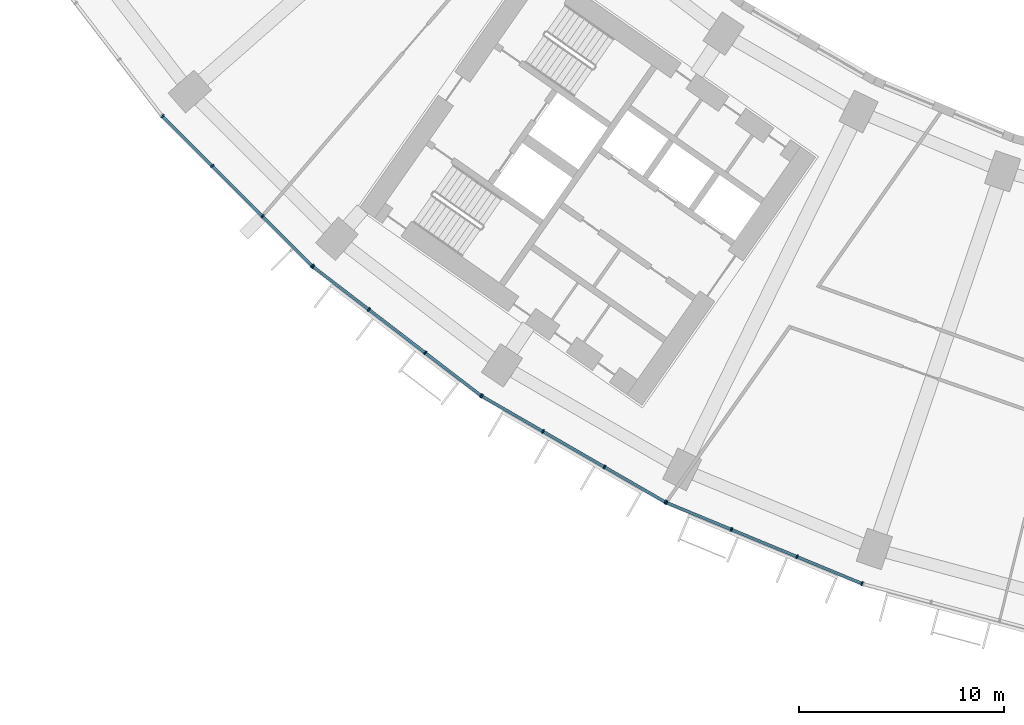
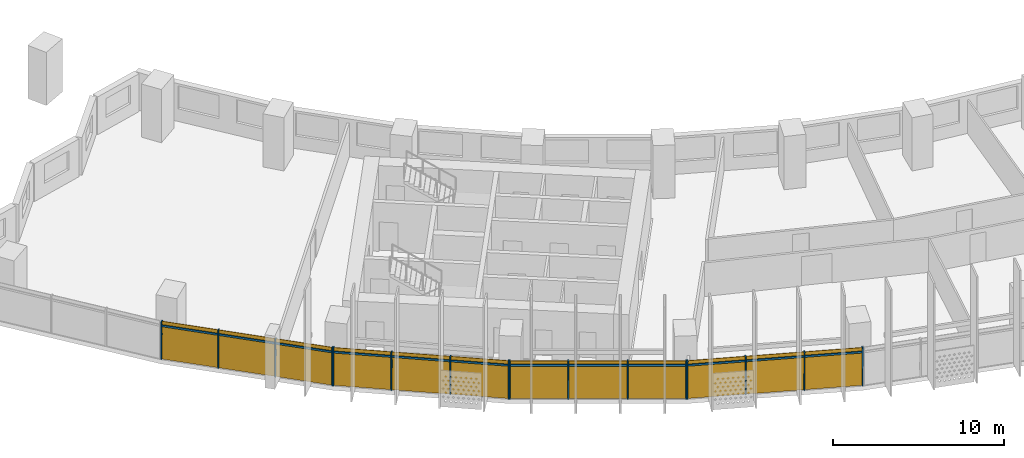
# One storey, part 20 of 32: 28 members, 4 curtain walls.
"""IFC4 building model written with IfcOpenShell, lengths in metres."""

from ifc_helpers import new_model, si_unit, direction, frame, origin, origin_2d, place, context, subcontext, project, spatial, rectangle, extrude, material, material_profile, profile_set, type_object, element, aggregate, save


model = new_model("IFC4")

# Units and contexts
model_context = context("Model", 3, precision=1e-05, world=origin(), true_north=direction((0.0, 1.0)))
body_context = subcontext(model_context, "Body", "Model", "MODEL_VIEW")
ifc_project = project(units=[si_unit("LENGTHUNIT", "METRE"), si_unit("AREAUNIT", "SQUARE_METRE"), si_unit("VOLUMEUNIT", "CUBIC_METRE"), si_unit("PLANEANGLEUNIT", "RADIAN"), si_unit("MASSUNIT", "GRAM", prefix="KILO")], contexts=[model_context])

# Member
ifc_material = material(Name="Aluminium 6063-T6 anodised", Category="aluminium")
ifc_material_profile_1 = material_profile(ifc_material, rectangle(XDim=0.199951171875, YDim=0.070068359375, at=origin_2d()))
ifc_profile_set_1 = profile_set([ifc_material_profile_1], Name="Aluminium 6063-T6 anodised")
member_type_1 = type_object("IfcMemberType", Name="Mullion 70 x 200 aluminium", PredefinedType="MULLION", material=ifc_profile_set_1)
site_placement = place(None, origin())
building_placement = place(site_placement, origin())
storey_placement = place(building_placement, frame((0.0, 0.0, 70.89990234375)))
member_1_placement = place(storey_placement, frame((-59.78857421875, -52.470947265625, 0.0), z_axis=(0.0, 0.0, 1.0), x_axis=(0.707106781187, 0.707106781187, 0.0)))
member_1 = element("IfcMember", 1, at=member_1_placement, type_object=member_type_1, Name="e-cw1-L14-out02/M00", PredefinedType="MULLION", context=body_context, shape_type="SweptSolid", body=[
    extrude(rectangle(XDim=0.199951171875, YDim=0.070068359375, at=origin_2d()), origin(), (0.0, 0.0, 1.0), 2.7001953125),
])

member_2_placement = place(storey_placement, frame((-57.357666015625, -54.90185546875, 0.0), z_axis=(0.0, 0.0, 1.0), x_axis=(0.707106781187, 0.707106781187, 0.0)))
member_2 = element("IfcMember", 2, at=member_2_placement, type_object=member_type_1, Name="e-cw1-L14-out02/M01", PredefinedType="MULLION", context=body_context, shape_type="SweptSolid", body=[
    extrude(rectangle(XDim=0.199951171875, YDim=0.070068359375, at=origin_2d()), origin(), (0.0, 0.0, 1.0), 2.7001953125),
])

member_3_placement = place(storey_placement, frame((-54.90185546875, -57.357666015625, 0.0), z_axis=(0.0, 0.0, 1.0), x_axis=(0.707106781187, 0.707106781187, 0.0)))
member_3 = element("IfcMember", 3, at=member_3_placement, type_object=member_type_1, Name="e-cw1-L14-out02/M02", PredefinedType="MULLION", context=body_context, shape_type="SweptSolid", body=[
    extrude(rectangle(XDim=0.199951171875, YDim=0.070068359375, at=origin_2d()), origin(), (0.0, 0.0, 1.0), 2.7001953125),
])

member_4_placement = place(storey_placement, frame((-52.470947265625, -59.78857421875, 0.0), z_axis=(0.0, 0.0, 1.0), x_axis=(0.707106781187, 0.707106781187, 0.0)))
member_4 = element("IfcMember", 4, at=member_4_placement, type_object=member_type_1, Name="e-cw1-L14-out02/M03", PredefinedType="MULLION", context=body_context, shape_type="SweptSolid", body=[
    extrude(rectangle(XDim=0.199951171875, YDim=0.070068359375, at=origin_2d()), origin(), (0.0, 0.0, 1.0), 2.7001953125),
])

member_5_placement = place(storey_placement, frame((-52.42822265625, -59.825927734375, 0.0), z_axis=(0.0, 0.0, 1.0), x_axis=(0.608761429009, 0.793353340291, 0.0)))
member_5 = element("IfcMember", 5, at=member_5_placement, type_object=member_type_1, Name="e-cw1-L14-out03/M00", PredefinedType="MULLION", context=body_context, shape_type="SweptSolid", body=[
    extrude(rectangle(XDim=0.199951171875, YDim=0.070068359375, at=origin_2d()), origin(), (0.0, 0.0, 1.0), 2.7001953125),
])

member_6_placement = place(storey_placement, frame((-49.70068359375, -61.9189453125, 0.0), z_axis=(0.0, 0.0, 1.0), x_axis=(0.608761429009, 0.793353340291, 0.0)))
member_6 = element("IfcMember", 6, at=member_6_placement, type_object=member_type_1, Name="e-cw1-L14-out03/M01", PredefinedType="MULLION", context=body_context, shape_type="SweptSolid", body=[
    extrude(rectangle(XDim=0.199951171875, YDim=0.070068359375, at=origin_2d()), origin(), (0.0, 0.0, 1.0), 2.7001953125),
])

member_7_placement = place(storey_placement, frame((-46.945556640625, -64.032958984375, 0.0), z_axis=(0.0, 0.0, 1.0), x_axis=(0.608761429009, 0.793353340291, 0.0)))
member_7 = element("IfcMember", 7, at=member_7_placement, type_object=member_type_1, Name="e-cw1-L14-out03/M02", PredefinedType="MULLION", context=body_context, shape_type="SweptSolid", body=[
    extrude(rectangle(XDim=0.199951171875, YDim=0.070068359375, at=origin_2d()), origin(), (0.0, 0.0, 1.0), 2.7001953125),
])

member_8_placement = place(storey_placement, frame((-44.218017578125, -66.1259765625, 0.0), z_axis=(0.0, 0.0, 1.0), x_axis=(0.608761429009, 0.793353340291, 0.0)))
member_8 = element("IfcMember", 8, at=member_8_placement, type_object=member_type_1, Name="e-cw1-L14-out03/M03", PredefinedType="MULLION", context=body_context, shape_type="SweptSolid", body=[
    extrude(rectangle(XDim=0.199951171875, YDim=0.070068359375, at=origin_2d()), origin(), (0.0, 0.0, 1.0), 2.7001953125),
])

member_9_placement = place(storey_placement, frame((-44.1708984375, -66.157470703125, 0.0), z_axis=(0.0, 0.0, 1.0), x_axis=(0.5, 0.866025403784, 0.0)))
member_9 = element("IfcMember", 9, at=member_9_placement, type_object=member_type_1, Name="e-cw1-L14-out04/M00", PredefinedType="MULLION", context=body_context, shape_type="SweptSolid", body=[
    extrude(rectangle(XDim=0.199951171875, YDim=0.070068359375, at=origin_2d()), origin(), (0.0, 0.0, 1.0), 2.7001953125),
])

member_10_placement = place(storey_placement, frame((-41.193603515625, -67.87646484375, 0.0), z_axis=(0.0, 0.0, 1.0), x_axis=(0.5, 0.866025403784, 0.0)))
member_10 = element("IfcMember", 10, at=member_10_placement, type_object=member_type_1, Name="e-cw1-L14-out04/M01", PredefinedType="MULLION", context=body_context, shape_type="SweptSolid", body=[
    extrude(rectangle(XDim=0.199951171875, YDim=0.070068359375, at=origin_2d()), origin(), (0.0, 0.0, 1.0), 2.7001953125),
])

member_11_placement = place(storey_placement, frame((-38.18603515625, -69.61279296875, 0.0), z_axis=(0.0, 0.0, 1.0), x_axis=(0.5, 0.866025403784, 0.0)))
member_11 = element("IfcMember", 11, at=member_11_placement, type_object=member_type_1, Name="e-cw1-L14-out04/M02", PredefinedType="MULLION", context=body_context, shape_type="SweptSolid", body=[
    extrude(rectangle(XDim=0.199951171875, YDim=0.070068359375, at=origin_2d()), origin(), (0.0, 0.0, 1.0), 2.7001953125),
])

member_12_placement = place(storey_placement, frame((-35.20849609375, -71.331787109375, 0.0), z_axis=(0.0, 0.0, 1.0), x_axis=(0.5, 0.866025403784, 0.0)))
member_12 = element("IfcMember", 12, at=member_12_placement, type_object=member_type_1, Name="e-cw1-L14-out04/M03", PredefinedType="MULLION", context=body_context, shape_type="SweptSolid", body=[
    extrude(rectangle(XDim=0.199951171875, YDim=0.070068359375, at=origin_2d()), origin(), (0.0, 0.0, 1.0), 2.7001953125),
])

member_13_placement = place(storey_placement, frame((-35.15771484375, -71.35693359375, 0.0), z_axis=(0.0, 0.0, 1.0), x_axis=(0.382683432365, 0.923879532511, 0.0)))
member_13 = element("IfcMember", 13, at=member_13_placement, type_object=member_type_1, Name="e-cw1-L14-out05/M00", PredefinedType="MULLION", context=body_context, shape_type="SweptSolid", body=[
    extrude(rectangle(XDim=0.199951171875, YDim=0.070068359375, at=origin_2d()), origin(), (0.0, 0.0, 1.0), 2.7001953125),
])

member_14_placement = place(storey_placement, frame((-31.9814453125, -72.672607421875, 0.0), z_axis=(0.0, 0.0, 1.0), x_axis=(0.382683432365, 0.923879532511, 0.0)))
member_14 = element("IfcMember", 14, at=member_14_placement, type_object=member_type_1, Name="e-cw1-L14-out05/M01", PredefinedType="MULLION", context=body_context, shape_type="SweptSolid", body=[
    extrude(rectangle(XDim=0.199951171875, YDim=0.070068359375, at=origin_2d()), origin(), (0.0, 0.0, 1.0), 2.7001953125),
])

member_15_placement = place(storey_placement, frame((-28.77294921875, -74.00146484375, 0.0), z_axis=(0.0, 0.0, 1.0), x_axis=(0.382683432365, 0.923879532511, 0.0)))
member_15 = element("IfcMember", 15, at=member_15_placement, type_object=member_type_1, Name="e-cw1-L14-out05/M02", PredefinedType="MULLION", context=body_context, shape_type="SweptSolid", body=[
    extrude(rectangle(XDim=0.199951171875, YDim=0.070068359375, at=origin_2d()), origin(), (0.0, 0.0, 1.0), 2.7001953125),
])

member_16_placement = place(storey_placement, frame((-25.5966796875, -75.317138671875, 0.0), z_axis=(0.0, 0.0, 1.0), x_axis=(0.382683432365, 0.923879532511, 0.0)))
member_16 = element("IfcMember", 16, at=member_16_placement, type_object=member_type_1, Name="e-cw1-L14-out05/M03", PredefinedType="MULLION", context=body_context, shape_type="SweptSolid", body=[
    extrude(rectangle(XDim=0.199951171875, YDim=0.070068359375, at=origin_2d()), origin(), (0.0, 0.0, 1.0), 2.7001953125),
])

ifc_material_profile_2 = material_profile(ifc_material, rectangle(XDim=0.139892578125, YDim=0.1201171875, at=origin_2d()))
ifc_profile_set_2 = profile_set([ifc_material_profile_2], Name="Aluminium 6063-T6 anodised")
member_type_2 = type_object("IfcMemberType", Name="Transom 120 x 140 aluminium", PredefinedType="USERDEFINED", material=ifc_profile_set_2)
member_17_placement = place(storey_placement, frame((-59.763916015625, -52.49560546875, 2.400146484375), z_axis=(0.707106781187, -0.707106781187, 0.0), x_axis=(0.707106781187, 0.707106781187, 0.0)))
member_17 = element("IfcMember", 17, at=member_17_placement, type_object=member_type_2, Name="e-cw1-L14-out02/T00", ObjectType="TRANSOM", PredefinedType="USERDEFINED", context=body_context, shape_type="SweptSolid", body=[
    extrude(rectangle(XDim=0.139892578125, YDim=0.1201171875, at=origin_2d()), origin(), (0.0, 0.0, 1.0), 3.3681640625),
])

member_18_placement = place(storey_placement, frame((-57.332763671875, -54.9267578125, 2.400146484375), z_axis=(0.707106781187, -0.707106781187, 0.0), x_axis=(0.707106781187, 0.707106781187, 0.0)))
member_18 = element("IfcMember", 18, at=member_18_placement, type_object=member_type_2, Name="e-cw1-L14-out02/T01", ObjectType="TRANSOM", PredefinedType="USERDEFINED", context=body_context, shape_type="SweptSolid", body=[
    extrude(rectangle(XDim=0.139892578125, YDim=0.1201171875, at=origin_2d()), origin(), (0.0, 0.0, 1.0), 3.402587890625),
])

member_19_placement = place(storey_placement, frame((-54.877197265625, -57.38232421875, 2.400146484375), z_axis=(0.707106781187, -0.707106781187, 0.0), x_axis=(0.707106781187, 0.707106781187, 0.0)))
member_19 = element("IfcMember", 19, at=member_19_placement, type_object=member_type_2, Name="e-cw1-L14-out02/T02", ObjectType="TRANSOM", PredefinedType="USERDEFINED", context=body_context, shape_type="SweptSolid", body=[
    extrude(rectangle(XDim=0.139892578125, YDim=0.1201171875, at=origin_2d()), origin(), (0.0, 0.0, 1.0), 3.3681640625),
])

member_20_placement = place(storey_placement, frame((-52.400390625, -59.847412109375, 2.400146484375), z_axis=(0.793375276742, -0.608732839803, 0.0), x_axis=(0.608732839803, 0.793375276742, 0.0)))
member_20 = element("IfcMember", 20, at=member_20_placement, type_object=member_type_2, Name="e-cw1-L14-out03/T00", ObjectType="TRANSOM", PredefinedType="USERDEFINED", context=body_context, shape_type="SweptSolid", body=[
    extrude(rectangle(XDim=0.139892578125, YDim=0.1201171875, at=origin_2d()), origin(), (0.0, 0.0, 1.0), 3.36767578125),
])

member_21_placement = place(storey_placement, frame((-49.673095703125, -61.940185546875, 2.400146484375), z_axis=(0.793356868815, -0.60875683052, 0.0), x_axis=(0.60875683052, 0.793356868815, 0.0)))
member_21 = element("IfcMember", 21, at=member_21_placement, type_object=member_type_2, Name="e-cw1-L14-out03/T01", ObjectType="TRANSOM", PredefinedType="USERDEFINED", context=body_context, shape_type="SweptSolid", body=[
    extrude(rectangle(XDim=0.139892578125, YDim=0.1201171875, at=origin_2d()), origin(), (0.0, 0.0, 1.0), 3.40283203125),
])

member_22_placement = place(storey_placement, frame((-46.917724609375, -64.054443359375, 2.400146484375), z_axis=(0.793375276742, -0.608732839803, 0.0), x_axis=(0.608732839803, 0.793375276742, 0.0)))
member_22 = element("IfcMember", 22, at=member_22_placement, type_object=member_type_2, Name="e-cw1-L14-out03/T02", ObjectType="TRANSOM", PredefinedType="USERDEFINED", context=body_context, shape_type="SweptSolid", body=[
    extrude(rectangle(XDim=0.139892578125, YDim=0.1201171875, at=origin_2d()), origin(), (0.0, 0.0, 1.0), 3.36767578125),
])

member_23_placement = place(storey_placement, frame((-44.140625, -66.175048828125, 2.400146484375), z_axis=(0.866044351828, -0.49996717959, 0.0), x_axis=(0.49996717959, 0.866044351828, 0.0)))
member_23 = element("IfcMember", 23, at=member_23_placement, type_object=member_type_2, Name="e-cw1-L14-out04/T00", ObjectType="TRANSOM", PredefinedType="USERDEFINED", context=body_context, shape_type="SweptSolid", body=[
    extrude(rectangle(XDim=0.139892578125, YDim=0.1201171875, at=origin_2d()), origin(), (0.0, 0.0, 1.0), 3.367919921875),
])

member_24_placement = place(storey_placement, frame((-41.163330078125, -67.893798828125, 2.400146484375), z_axis=(0.866000398227, -0.500043308395, 0.0), x_axis=(0.500043308395, 0.866000398227, 0.0)))
member_24 = element("IfcMember", 24, at=member_24_placement, type_object=member_type_2, Name="e-cw1-L14-out04/T01", ObjectType="TRANSOM", PredefinedType="USERDEFINED", context=body_context, shape_type="SweptSolid", body=[
    extrude(rectangle(XDim=0.139892578125, YDim=0.1201171875, at=origin_2d()), origin(), (0.0, 0.0, 1.0), 3.403076171875),
])

member_25_placement = place(storey_placement, frame((-38.155517578125, -69.63037109375, 2.400146484375), z_axis=(0.866026229868, -0.499998569178, 0.0), x_axis=(0.499998569178, 0.866026229868, 0.0)))
member_25 = element("IfcMember", 25, at=member_25_placement, type_object=member_type_2, Name="e-cw1-L14-out04/T02", ObjectType="TRANSOM", PredefinedType="USERDEFINED", context=body_context, shape_type="SweptSolid", body=[
    extrude(rectangle(XDim=0.139892578125, YDim=0.1201171875, at=origin_2d()), origin(), (0.0, 0.0, 1.0), 3.36767578125),
])

member_26_placement = place(storey_placement, frame((-35.125244140625, -71.370361328125, 2.400146484375), z_axis=(0.923872807855, -0.382699666719, 0.0), x_axis=(0.382699666719, 0.923872807855, 0.0)))
member_26 = element("IfcMember", 26, at=member_26_placement, type_object=member_type_2, Name="e-cw1-L14-out05/T00", ObjectType="TRANSOM", PredefinedType="USERDEFINED", context=body_context, shape_type="SweptSolid", body=[
    extrude(rectangle(XDim=0.139892578125, YDim=0.1201171875, at=origin_2d()), origin(), (0.0, 0.0, 1.0), 3.36767578125),
])

member_27_placement = place(storey_placement, frame((-31.94921875, -72.68603515625, 2.400146484375), z_axis=(0.92388567708, -0.382668597728, 0.0), x_axis=(0.382668597728, 0.92388567708, 0.0)))
member_27 = element("IfcMember", 27, at=member_27_placement, type_object=member_type_2, Name="e-cw1-L14-out05/T01", ObjectType="TRANSOM", PredefinedType="USERDEFINED", context=body_context, shape_type="SweptSolid", body=[
    extrude(rectangle(XDim=0.139892578125, YDim=0.1201171875, at=origin_2d()), origin(), (0.0, 0.0, 1.0), 3.403076171875),
])

member_28_placement = place(storey_placement, frame((-28.740478515625, -74.014892578125, 2.400146484375), z_axis=(0.923872807855, -0.382699666719, 0.0), x_axis=(0.382699666719, 0.923872807855, 0.0)))
member_28 = element("IfcMember", 28, at=member_28_placement, type_object=member_type_2, Name="e-cw1-L14-out05/T02", ObjectType="TRANSOM", PredefinedType="USERDEFINED", context=body_context, shape_type="SweptSolid", body=[
    extrude(rectangle(XDim=0.139892578125, YDim=0.1201171875, at=origin_2d()), origin(), (0.0, 0.0, 1.0), 3.36767578125),
])

# Site, building, storey
site = spatial("IfcSite", under=ifc_project, at=site_placement, CompositionType="ELEMENT")
building = spatial("IfcBuilding", under=site, at=building_placement, Name="Qamariyya Broadcast Tower", CompositionType="ELEMENT")
storey = spatial("IfcBuildingStorey", under=building, at=storey_placement, Name="L14", CompositionType="ELEMENT", Elevation=70.89990234375)

# Curtain wall
curtain_wall_type = type_object("IfcCurtainWallType", Name="Unitised curtain wall, anodised aluminium", PredefinedType="NOTDEFINED", material=ifc_material)
curtain_wall_1_placement = place(storey_placement, origin())
curtain_wall_1 = element("IfcCurtainWall", 29, at=curtain_wall_1_placement, inside=storey, type_object=curtain_wall_type, Name="e-cw1-L14-out02", PredefinedType="NOTDEFINED", context=body_context, shape_type="SweptSolid", body=[
    extrude(rectangle(XDim=3.367919921875, YDim=0.031982421875, at=origin_2d()), frame((-58.572998046875, -53.6865234375, 0.0), x_axis=(0.707106781187, -0.707106781187, 0.0)), (0.0, 0.0, 1.0), 2.340087890625),
    extrude(rectangle(XDim=3.367919921875, YDim=0.031982421875, at=origin_2d()), frame((-58.572998046875, -53.6865234375, 2.460205078125), x_axis=(0.707106781187, -0.707106781187, 0.0)), (0.0, 0.0, 1.0), 0.239990234375),
    extrude(rectangle(XDim=3.40283203125, YDim=0.031982421875, at=origin_2d()), frame((-56.1298828125, -56.1298828125, 0.0), x_axis=(0.707106781187, -0.707106781187, 0.0)), (0.0, 0.0, 1.0), 2.340087890625),
    extrude(rectangle(XDim=3.40283203125, YDim=0.031982421875, at=origin_2d()), frame((-56.1298828125, -56.1298828125, 2.460205078125), x_axis=(0.707106781187, -0.707106781187, 0.0)), (0.0, 0.0, 1.0), 0.239990234375),
    extrude(rectangle(XDim=3.367919921875, YDim=0.031982421875, at=origin_2d()), frame((-53.6865234375, -58.572998046875, 0.0), x_axis=(0.707106781187, -0.707106781187, 0.0)), (0.0, 0.0, 1.0), 2.340087890625),
    extrude(rectangle(XDim=3.367919921875, YDim=0.031982421875, at=origin_2d()), frame((-53.6865234375, -58.572998046875, 2.460205078125), x_axis=(0.707106781187, -0.707106781187, 0.0)), (0.0, 0.0, 1.0), 0.239990234375),
])

aggregate(curtain_wall_1, [member_1, member_2, member_3, member_4, member_17, member_18, member_19])

curtain_wall_2_placement = place(storey_placement, origin())
curtain_wall_2 = element("IfcCurtainWall", 30, at=curtain_wall_2_placement, inside=storey, type_object=curtain_wall_type, Name="e-cw1-L14-out03", PredefinedType="NOTDEFINED", context=body_context, shape_type="SweptSolid", body=[
    extrude(rectangle(XDim=3.367919921875, YDim=0.031982421875, at=origin_2d()), frame((-51.064453125, -60.872314453125, 0.0), x_axis=(0.79335775203, -0.608755679475, 0.0)), (0.0, 0.0, 1.0), 2.340087890625),
    extrude(rectangle(XDim=3.367919921875, YDim=0.031982421875, at=origin_2d()), frame((-51.064453125, -60.872314453125, 2.460205078125), x_axis=(0.79335775203, -0.608755679475, 0.0)), (0.0, 0.0, 1.0), 0.239990234375),
    extrude(rectangle(XDim=3.40283203125, YDim=0.031982421875, at=origin_2d()), frame((-48.3232421875, -62.97607421875, 0.0), x_axis=(0.79335775203, -0.608755679475, 0.0)), (0.0, 0.0, 1.0), 2.340087890625),
    extrude(rectangle(XDim=3.40283203125, YDim=0.031982421875, at=origin_2d()), frame((-48.3232421875, -62.97607421875, 2.460205078125), x_axis=(0.79335775203, -0.608755679475, 0.0)), (0.0, 0.0, 1.0), 0.239990234375),
    extrude(rectangle(XDim=3.367919921875, YDim=0.031982421875, at=origin_2d()), frame((-45.581787109375, -65.07958984375, 0.0), x_axis=(0.79335775203, -0.608755679475, 0.0)), (0.0, 0.0, 1.0), 2.340087890625),
    extrude(rectangle(XDim=3.367919921875, YDim=0.031982421875, at=origin_2d()), frame((-45.581787109375, -65.07958984375, 2.460205078125), x_axis=(0.79335775203, -0.608755679475, 0.0)), (0.0, 0.0, 1.0), 0.239990234375),
])

aggregate(curtain_wall_2, [member_5, member_6, member_7, member_8, member_20, member_21, member_22])

curtain_wall_3_placement = place(storey_placement, origin())
curtain_wall_3 = element("IfcCurtainWall", 31, at=curtain_wall_3_placement, inside=storey, type_object=curtain_wall_type, Name="e-cw1-L14-out04", PredefinedType="NOTDEFINED", context=body_context, shape_type="SweptSolid", body=[
    extrude(rectangle(XDim=3.367919921875, YDim=0.031982421875, at=origin_2d()), frame((-42.68212890625, -67.016845703125, 0.0), x_axis=(0.86602247392, -0.500005074639, 0.0)), (0.0, 0.0, 1.0), 2.340087890625),
    extrude(rectangle(XDim=3.367919921875, YDim=0.031982421875, at=origin_2d()), frame((-42.68212890625, -67.016845703125, 2.460205078125), x_axis=(0.86602247392, -0.500005074639, 0.0)), (0.0, 0.0, 1.0), 0.239990234375),
    extrude(rectangle(XDim=3.40283203125, YDim=0.031982421875, at=origin_2d()), frame((-39.689697265625, -68.74462890625, 0.0), x_axis=(0.86602247392, -0.500005074639, 0.0)), (0.0, 0.0, 1.0), 2.340087890625),
    extrude(rectangle(XDim=3.40283203125, YDim=0.031982421875, at=origin_2d()), frame((-39.689697265625, -68.74462890625, 2.460205078125), x_axis=(0.86602247392, -0.500005074639, 0.0)), (0.0, 0.0, 1.0), 0.239990234375),
    extrude(rectangle(XDim=3.367919921875, YDim=0.031982421875, at=origin_2d()), frame((-36.697265625, -70.472412109375, 0.0), x_axis=(0.86602247392, -0.500005074639, 0.0)), (0.0, 0.0, 1.0), 2.340087890625),
    extrude(rectangle(XDim=3.367919921875, YDim=0.031982421875, at=origin_2d()), frame((-36.697265625, -70.472412109375, 2.460205078125), x_axis=(0.86602247392, -0.500005074639, 0.0)), (0.0, 0.0, 1.0), 0.239990234375),
])

aggregate(curtain_wall_3, [member_9, member_10, member_11, member_12, member_23, member_24, member_25])

curtain_wall_4_placement = place(storey_placement, origin())
curtain_wall_4 = element("IfcCurtainWall", 32, at=curtain_wall_4_placement, inside=storey, type_object=curtain_wall_type, Name="e-cw1-L14-out05", PredefinedType="NOTDEFINED", context=body_context, shape_type="SweptSolid", body=[
    extrude(rectangle(XDim=3.367919921875, YDim=0.031982421875, at=origin_2d()), frame((-33.569580078125, -72.0146484375, 0.0), x_axis=(0.92387774222, -0.382687754482, 0.0)), (0.0, 0.0, 1.0), 2.340087890625),
    extrude(rectangle(XDim=3.367919921875, YDim=0.031982421875, at=origin_2d()), frame((-33.569580078125, -72.0146484375, 2.460205078125), x_axis=(0.92387774222, -0.382687754482, 0.0)), (0.0, 0.0, 1.0), 0.239990234375),
    extrude(rectangle(XDim=3.40283203125, YDim=0.031982421875, at=origin_2d()), frame((-30.377197265625, -73.3369140625, 0.0), x_axis=(0.92387774222, -0.382687754482, 0.0)), (0.0, 0.0, 1.0), 2.340087890625),
    extrude(rectangle(XDim=3.40283203125, YDim=0.031982421875, at=origin_2d()), frame((-30.377197265625, -73.3369140625, 2.460205078125), x_axis=(0.92387774222, -0.382687754482, 0.0)), (0.0, 0.0, 1.0), 0.239990234375),
    extrude(rectangle(XDim=3.367919921875, YDim=0.031982421875, at=origin_2d()), frame((-27.184814453125, -74.659423828125, 0.0), x_axis=(0.92387774222, -0.382687754482, 0.0)), (0.0, 0.0, 1.0), 2.340087890625),
    extrude(rectangle(XDim=3.367919921875, YDim=0.031982421875, at=origin_2d()), frame((-27.184814453125, -74.659423828125, 2.460205078125), x_axis=(0.92387774222, -0.382687754482, 0.0)), (0.0, 0.0, 1.0), 0.239990234375),
])

aggregate(curtain_wall_4, [member_13, member_14, member_15, member_16, member_26, member_27, member_28])

save(model, "model.ifc")
